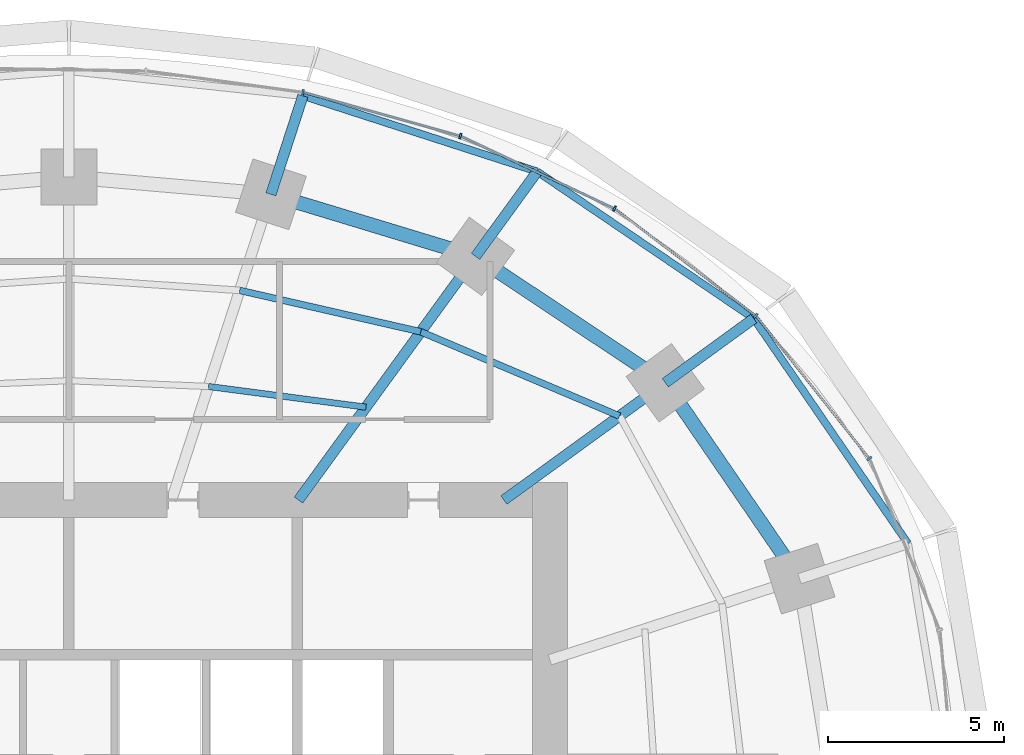
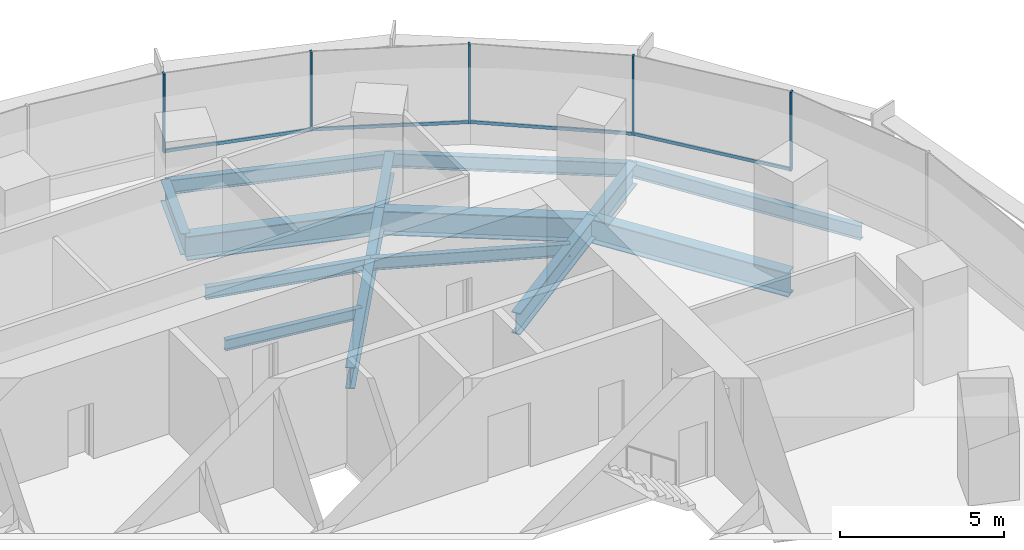
# One storey, part 8 of 14: 14 beams, 9 members, 2 elements without a shape of their own.
"""IFC4 building model written with IfcOpenShell, lengths in metres."""

from ifc_helpers import new_model, si_unit, direction, frame, origin, origin_2d, place, context, subcontext, project, spatial, rectangle, i_section, extrude, material, material_profile, profile_set, type_object, element, aggregate, save


model = new_model("IFC4")

# Units and contexts
model_context = context("Model", 3, precision=1e-05, world=origin(), true_north=direction((0.0, 1.0)))
body_context = subcontext(model_context, "Body", "Model", "MODEL_VIEW")
ifc_project = project(units=[si_unit("LENGTHUNIT", "METRE"), si_unit("AREAUNIT", "SQUARE_METRE"), si_unit("VOLUMEUNIT", "CUBIC_METRE"), si_unit("PLANEANGLEUNIT", "RADIAN"), si_unit("MASSUNIT", "GRAM", prefix="KILO")], contexts=[model_context])

# Site, building, storey
site_placement = place(None, origin())
site = spatial("IfcSite", under=ifc_project, at=site_placement, CompositionType="ELEMENT")
building_placement = place(site_placement, origin())
building = spatial("IfcBuilding", under=site, at=building_placement, Name="Marramba Exchange Tower", CompositionType="ELEMENT")
storey_placement = place(building_placement, frame((0.0, 0.0, 154.800048828125)))
storey = spatial("IfcBuildingStorey", under=building, at=storey_placement, Name="L37", CompositionType="ELEMENT", Elevation=154.800048828125)

# Beams
ifc_material_1 = material(Name="Steel AS/NZS 3679.2 grade 300", Category="steel")
ifc_material_profile_1 = material_profile(ifc_material_1, i_section(OverallWidth=0.300048828125, OverallDepth=0.800048828125, WebThickness=0.013916015625, FlangeThickness=0.031982421875, at=origin_2d()), Name="800WB192")
ifc_profile_set_1 = profile_set([ifc_material_profile_1], Name="Steel AS/NZS 3679.2 grade 300")
beam_type_1 = type_object("IfcBeamType", Name="Cantilever girder 800WB192", PredefinedType="BEAM", material=ifc_profile_set_1)
beam_1_placement = place(storey_placement, frame((16.98583984375, 12.3408203125, -0.56005859375), z_axis=(0.809013970709, 0.58778941399, 0.0), x_axis=(-0.58778941399, 0.809013970709, 0.0)))
element("IfcBeam", 1, at=beam_1_placement, inside=storey, type_object=beam_type_1, Name="Cantilever girder L37 TC03", PredefinedType="BEAM", context=body_context, shape_type="SweptSolid", body=[
    extrude(i_section(OverallWidth=0.300048828125, OverallDepth=0.800048828125, WebThickness=0.013916015625, FlangeThickness=0.031982421875, at=origin_2d()), origin(), (0.0, 0.0, 1.0), 3.1142578125),
])
beam_2_placement = place(storey_placement, frame((11.581298828125, 15.9404296875, -0.56005859375), z_axis=(0.587821738214, 0.808990484544, 0.0), x_axis=(-0.808990484544, 0.587821738214, 0.0)))
element("IfcBeam", 2, at=beam_2_placement, inside=storey, type_object=beam_type_1, Name="Cantilever girder L37 TC04", PredefinedType="BEAM", context=body_context, shape_type="SweptSolid", body=[
    extrude(i_section(OverallWidth=0.300048828125, OverallDepth=0.800048828125, WebThickness=0.013916015625, FlangeThickness=0.031982421875, at=origin_2d()), origin(), (0.0, 0.0, 1.0), 2.987060546875),
])
beam_3_placement = place(storey_placement, frame((5.75390625, 17.70849609375, -0.56005859375), z_axis=(0.309018704887, 0.951055960514, 0.0), x_axis=(-0.951055960514, 0.309018704887, 0.0)))
element("IfcBeam", 3, at=beam_3_placement, inside=storey, type_object=beam_type_1, Name="Cantilever girder L37 TC05", PredefinedType="BEAM", context=body_context, shape_type="SweptSolid", body=[
    extrude(i_section(OverallWidth=0.300048828125, OverallDepth=0.800048828125, WebThickness=0.013916015625, FlangeThickness=0.031982421875, at=origin_2d()), origin(), (0.0, 0.0, 1.0), 2.949951171875),
])
ifc_material_2 = material(Name="Steel AS/NZS 3679.1 grade 300", Category="steel")
ifc_material_profile_2 = material_profile(ifc_material_2, i_section(OverallWidth=0.177978515625, OverallDepth=0.406005859375, WebThickness=0.0078125, FlangeThickness=0.0126953125, FilletRadius=0.011474609375, at=origin_2d()), Name="410UB59.7")
ifc_profile_set_2 = profile_set([ifc_material_profile_2], Name="Steel AS/NZS 3679.1 grade 300")
beam_type_2 = type_object("IfcBeamType", Name="Floor joist 410UB59.7", PredefinedType="JOIST", material=ifc_profile_set_2)
beam_4_placement = place(storey_placement, frame((8.4619140625, 11.646728515625, -0.363037109375), z_axis=(-0.991480538255, 0.130254912618, 0.0), x_axis=(-0.130254912618, -0.991480538255, 0.0)))
element("IfcBeam", 4, at=beam_4_placement, inside=storey, type_object=beam_type_2, Name="Joist L37 bay 04 row 1", PredefinedType="JOIST", context=body_context, shape_type="SweptSolid", body=[
    extrude(i_section(OverallWidth=0.177978515625, OverallDepth=0.406005859375, WebThickness=0.0078125, FlangeThickness=0.0126953125, FilletRadius=0.011474609375, at=origin_2d()), origin(), (0.0, 0.0, 1.0), 4.524658203125),
])
ifc_material_profile_3 = material_profile(ifc_material_2, i_section(OverallWidth=0.18994140625, OverallDepth=0.4541015625, WebThickness=0.008544921875, FlangeThickness=0.0126953125, FilletRadius=0.011474609375, at=origin_2d()), Name="460UB67.1")
ifc_profile_set_3 = profile_set([ifc_material_profile_3], Name="Steel AS/NZS 3679.1 grade 300")
beam_type_3 = type_object("IfcBeamType", Name="Floor joist 460UB67.1", PredefinedType="JOIST", material=ifc_profile_set_3)
beam_5_placement = place(storey_placement, frame((15.682373046875, 11.393798828125, -0.386962890625), z_axis=(-0.920674336375, 0.390331610738, 0.0), x_axis=(-0.390331610738, -0.920674336375, 0.0)))
element("IfcBeam", 5, at=beam_5_placement, inside=storey, type_object=beam_type_3, Name="Joist L37 bay 03 row 2", PredefinedType="JOIST", context=body_context, shape_type="SweptSolid", body=[
    extrude(i_section(OverallWidth=0.18994140625, OverallDepth=0.4541015625, WebThickness=0.008544921875, FlangeThickness=0.0126953125, FilletRadius=0.011474609375, at=origin_2d()), origin(), (0.0, 0.0, 1.0), 6.1484375),
])
beam_6_placement = place(storey_placement, frame((10.021728515625, 13.793701171875, -0.386962890625), z_axis=(-0.974859652292, 0.222819788916, 0.0), x_axis=(-0.222819788916, -0.974859652292, 0.0)))
element("IfcBeam", 6, at=beam_6_placement, inside=storey, type_object=beam_type_3, Name="Joist L37 bay 04 row 2", PredefinedType="JOIST", context=body_context, shape_type="SweptSolid", body=[
    extrude(i_section(OverallWidth=0.18994140625, OverallDepth=0.4541015625, WebThickness=0.008544921875, FlangeThickness=0.0126953125, FilletRadius=0.011474609375, at=origin_2d()), origin(), (0.0, 0.0, 1.0), 5.2900390625),
])

# Curtain wall, members
ifc_material_3 = material(Name="Aluminium framing, bronze anodised", Category="aluminium")
curtain_wall_type = type_object("IfcCurtainWallType", Name="Office ribbon curtain wall", PredefinedType="USERDEFINED", material=ifc_material_3)
curtain_wall_1_placement = place(storey_placement, origin())
curtain_wall_1 = element("IfcCurtainWall", 7, at=curtain_wall_1_placement, inside=storey, type_object=curtain_wall_type, Name="Curtain wall CW4 L37 F01-F05", ObjectType="RIBBON CURTAIN WALL", PredefinedType="USERDEFINED")
ifc_material_4 = material(Name="Aluminium mullion, bronze anodised", Category="aluminium")
ifc_material_profile_4 = material_profile(ifc_material_4, rectangle(XDim=0.159912109375, YDim=0.06005859375, at=origin_2d()), Name="CW4 mullion 60x160")
ifc_profile_set_4 = profile_set([ifc_material_profile_4], Name="Aluminium mullion, bronze anodised")
member_type_1 = type_object("IfcMemberType", Name="Office ribbon curtain wall mullion", PredefinedType="MULLION", material=ifc_profile_set_4)
member_1_placement = place(storey_placement, frame((22.796630859375, 10.181640625, 0.800048828125), z_axis=(0.0, 0.0, 1.0), x_axis=(-0.783563266703, -0.621312004611, 0.0)))
member_1 = element("IfcMember", 8, at=member_1_placement, type_object=member_type_1, Name="CW4 mullion 1", PredefinedType="MULLION", context=body_context, shape_type="SweptSolid", body=[
    extrude(rectangle(XDim=0.159912109375, YDim=0.06005859375, at=origin_2d()), origin(), (0.0, 0.0, 1.0), 2.93994140625),
])
member_2_placement = place(storey_placement, frame((19.5625, 14.24853515625, 0.800048828125), z_axis=(0.0, 0.0, 1.0), x_axis=(-0.60533377223, -0.795971748366, 0.0)))
member_2 = element("IfcMember", 9, at=member_2_placement, type_object=member_type_1, Name="CW4 mullion 1", PredefinedType="MULLION", context=body_context, shape_type="SweptSolid", body=[
    extrude(rectangle(XDim=0.159912109375, YDim=0.06005859375, at=origin_2d()), origin(), (0.0, 0.0, 1.0), 2.93994140625),
])
member_3_placement = place(storey_placement, frame((15.538818359375, 17.300537109375, 0.800048828125), z_axis=(0.0, 0.0, 1.0), x_axis=(-0.426678995157, -0.904403137485, 0.0)))
member_3 = element("IfcMember", 10, at=member_3_placement, type_object=member_type_1, Name="CW4 mullion 1", PredefinedType="MULLION", context=body_context, shape_type="SweptSolid", body=[
    extrude(rectangle(XDim=0.159912109375, YDim=0.06005859375, at=origin_2d()), origin(), (0.0, 0.0, 1.0), 2.93994140625),
])

curtain_wall_2_placement = place(storey_placement, origin())
curtain_wall_2 = element("IfcCurtainWall", 11, at=curtain_wall_2_placement, inside=storey, type_object=curtain_wall_type, Name="Curtain wall CW4 L37 F06-F10", ObjectType="RIBBON CURTAIN WALL", PredefinedType="USERDEFINED")
member_4_placement = place(storey_placement, frame((11.147705078125, 19.366455078125, 0.800048828125), z_axis=(0.0, 0.0, 1.0), x_axis=(-0.268865090816, -0.963177845956, 0.0)))
member_4 = element("IfcMember", 12, at=member_4_placement, type_object=member_type_1, Name="CW4 mullion 1", PredefinedType="MULLION", context=body_context, shape_type="SweptSolid", body=[
    extrude(rectangle(XDim=0.159912109375, YDim=0.06005859375, at=origin_2d()), origin(), (0.0, 0.0, 1.0), 2.93994140625),
])
member_5_placement = place(storey_placement, frame((6.66650390625, 20.61328125, 0.800048828125), z_axis=(0.0, 0.0, 1.0), x_axis=(-0.135785837319, -0.990738212841, 0.0)))
member_5 = element("IfcMember", 13, at=member_5_placement, type_object=member_type_1, Name="CW4 mullion 1", PredefinedType="MULLION", context=body_context, shape_type="SweptSolid", body=[
    extrude(rectangle(XDim=0.159912109375, YDim=0.06005859375, at=origin_2d()), origin(), (0.0, 0.0, 1.0), 2.93994140625),
])

# Member
ifc_material_5 = material(Name="Aluminium transom, bronze anodised", Category="aluminium")
ifc_material_profile_5 = material_profile(ifc_material_5, rectangle(XDim=0.06005859375, YDim=0.1201171875, at=origin_2d()), Name="CW4 transom 60x120")
ifc_profile_set_5 = profile_set([ifc_material_profile_5], Name="Aluminium transom, bronze anodised")
member_type_2 = type_object("IfcMemberType", Name="Office ribbon curtain wall transom", PredefinedType="USERDEFINED", material=ifc_profile_set_5)
member_6_placement = place(storey_placement, frame((22.778076171875, 10.205078125, 0.829833984375), z_axis=(-0.621339379472, 0.783541559534, 0.0), x_axis=(-0.783541559534, -0.621339379472, 0.0)))
member_6 = element("IfcMember", 14, at=member_6_placement, type_object=member_type_2, Name="CW4 sill transom", ObjectType="TRANSOM", PredefinedType="USERDEFINED", context=body_context, shape_type="SweptSolid", body=[
    extrude(rectangle(XDim=0.06005859375, YDim=0.1201171875, at=origin_2d()), origin(), (0.0, 0.0, 1.0), 5.13720703125),
])

member_7_placement = place(storey_placement, frame((19.53857421875, 14.2666015625, 0.829833984375), z_axis=(-0.7959906025, 0.605308979556, 0.0), x_axis=(-0.605308979556, -0.7959906025, 0.0)))
member_7 = element("IfcMember", 15, at=member_7_placement, type_object=member_type_2, Name="CW4 sill transom", ObjectType="TRANSOM", PredefinedType="USERDEFINED", context=body_context, shape_type="SweptSolid", body=[
    extrude(rectangle(XDim=0.06005859375, YDim=0.1201171875, at=origin_2d()), origin(), (0.0, 0.0, 1.0), 4.99072265625),
])

member_8_placement = place(storey_placement, frame((15.51171875, 17.313232421875, 0.829833984375), z_axis=(-0.904410826824, 0.426662696193, 0.0), x_axis=(-0.426662696193, -0.904410826824, 0.0)))
member_8 = element("IfcMember", 16, at=member_8_placement, type_object=member_type_2, Name="CW4 sill transom", ObjectType="TRANSOM", PredefinedType="USERDEFINED", context=body_context, shape_type="SweptSolid", body=[
    extrude(rectangle(XDim=0.06005859375, YDim=0.1201171875, at=origin_2d()), origin(), (0.0, 0.0, 1.0), 4.79345703125),
])

aggregate(curtain_wall_1, [member_1, member_6, member_2, member_7, member_3, member_8])

member_9_placement = place(storey_placement, frame((11.118896484375, 19.37451171875, 0.829833984375), z_axis=(-0.963173567938, 0.268880415847, 0.0), x_axis=(-0.268880415847, -0.963173567938, 0.0)))
member_9 = element("IfcMember", 17, at=member_9_placement, type_object=member_type_2, Name="CW4 sill transom", ObjectType="TRANSOM", PredefinedType="USERDEFINED", context=body_context, shape_type="SweptSolid", body=[
    extrude(rectangle(XDim=0.06005859375, YDim=0.1201171875, at=origin_2d()), origin(), (0.0, 0.0, 1.0), 4.591796875),
])

aggregate(curtain_wall_2, [member_4, member_9, member_5])

# Beams
ifc_material_profile_6 = material_profile(ifc_material_1, i_section(OverallWidth=0.300048828125, OverallDepth=0.800048828125, WebThickness=0.013916015625, FlangeThickness=0.031982421875, at=origin_2d()), Name="800WB192")
ifc_profile_set_6 = profile_set([ifc_material_profile_6], Name="Steel AS/NZS 3679.2 grade 300")
beam_type_4 = type_object("IfcBeamType", Name="Radial girder 800WB192", PredefinedType="BEAM", material=ifc_profile_set_6)
beam_7_placement = place(storey_placement, frame((12.387451171875, 9.0, -0.56005859375), z_axis=(0.809025746925, 0.587773205252, 0.0), x_axis=(-0.587773205252, 0.809025746925, 0.0)))
element("IfcBeam", 18, at=beam_7_placement, inside=storey, type_object=beam_type_4, Name="Radial girder L37 TC03", PredefinedType="BEAM", context=body_context, shape_type="SweptSolid", body=[
    extrude(i_section(OverallWidth=0.300048828125, OverallDepth=0.800048828125, WebThickness=0.013916015625, FlangeThickness=0.031982421875, at=origin_2d()), origin(), (0.0, 0.0, 1.0), 5.683837890625),
])
beam_8_placement = place(storey_placement, frame((6.538818359375, 9.0, -0.56005859375), z_axis=(0.587782439969, 0.80901903764, 0.0), x_axis=(-0.80901903764, 0.587782439969, 0.0)))
element("IfcBeam", 19, at=beam_8_placement, inside=storey, type_object=beam_type_4, Name="Radial girder L37 TC04", PredefinedType="BEAM", context=body_context, shape_type="SweptSolid", body=[
    extrude(i_section(OverallWidth=0.300048828125, OverallDepth=0.800048828125, WebThickness=0.013916015625, FlangeThickness=0.031982421875, at=origin_2d()), origin(), (0.0, 0.0, 1.0), 8.578857421875),
])
ifc_material_profile_7 = material_profile(ifc_material_1, i_section(OverallWidth=0.39990234375, OverallDepth=0.89990234375, WebThickness=0.01611328125, FlangeThickness=0.031982421875, at=origin_2d()), Name="900WB282")
ifc_profile_set_7 = profile_set([ifc_material_profile_7], Name="Steel AS/NZS 3679.2 grade 300")
beam_type_5 = type_object("IfcBeamType", Name="Ring beam 900WB282", PredefinedType="SPANDREL", material=ifc_profile_set_7)
beam_9_placement = place(storey_placement, frame((20.808349609375, 6.760986328125, -0.610107421875), z_axis=(-0.56516002054, 0.824981303535, 0.0), x_axis=(-0.824981303535, -0.56516002054, 0.0)))
element("IfcBeam", 20, at=beam_9_placement, inside=storey, type_object=beam_type_5, Name="Ring beam L37 TC02-TC03", PredefinedType="SPANDREL", context=body_context, shape_type="SweptSolid", body=[
    extrude(i_section(OverallWidth=0.39990234375, OverallDepth=0.89990234375, WebThickness=0.01611328125, FlangeThickness=0.031982421875, at=origin_2d()), origin(), (0.0, 0.0, 1.0), 6.763671875),
])
beam_10_placement = place(storey_placement, frame((16.98583984375, 12.3408203125, -0.610107421875), z_axis=(-0.832293151443, 0.554335737673, 0.0), x_axis=(-0.554335737673, -0.832293151443, 0.0)))
element("IfcBeam", 21, at=beam_10_placement, inside=storey, type_object=beam_type_5, Name="Ring beam L37 TC03-TC04", PredefinedType="SPANDREL", context=body_context, shape_type="SweptSolid", body=[
    extrude(i_section(OverallWidth=0.39990234375, OverallDepth=0.89990234375, WebThickness=0.01611328125, FlangeThickness=0.031982421875, at=origin_2d()), origin(), (0.0, 0.0, 1.0), 6.49365234375),
])
beam_11_placement = place(storey_placement, frame((11.581298828125, 15.9404296875, -0.610107421875), z_axis=(-0.956924542524, 0.290336735387, 0.0), x_axis=(-0.290336735387, -0.956924542524, 0.0)))
element("IfcBeam", 22, at=beam_11_placement, inside=storey, type_object=beam_type_5, Name="Ring beam L37 TC04-TC05", PredefinedType="SPANDREL", context=body_context, shape_type="SweptSolid", body=[
    extrude(i_section(OverallWidth=0.39990234375, OverallDepth=0.89990234375, WebThickness=0.01611328125, FlangeThickness=0.031982421875, at=origin_2d()), origin(), (0.0, 0.0, 1.0), 6.089599609375),
])
ifc_material_profile_8 = material_profile(ifc_material_2, i_section(OverallWidth=0.208984375, OverallDepth=0.528076171875, WebThickness=0.009521484375, FlangeThickness=0.01318359375, FilletRadius=0.013916015625, at=origin_2d()), Name="530UB82.0")
ifc_profile_set_8 = profile_set([ifc_material_profile_8], Name="Steel AS/NZS 3679.1 grade 300")
beam_type_6 = type_object("IfcBeamType", Name="Slab edge beam 530UB82.0", PredefinedType="SPANDREL", material=ifc_profile_set_8)
beam_12_placement = place(storey_placement, frame((23.89501953125, 7.763916015625, -0.424072265625), z_axis=(-0.56517400038, 0.824971726361, 0.0), x_axis=(-0.824971726361, -0.56517400038, 0.0)))
element("IfcBeam", 23, at=beam_12_placement, inside=storey, type_object=beam_type_6, Name="Slab edge beam L37 TC02-TC03", PredefinedType="SPANDREL", context=body_context, shape_type="SweptSolid", body=[
    extrude(i_section(OverallWidth=0.208984375, OverallDepth=0.528076171875, WebThickness=0.009521484375, FlangeThickness=0.01318359375, FilletRadius=0.013916015625, at=origin_2d()), origin(), (0.0, 0.0, 1.0), 7.766845703125),
])
beam_13_placement = place(storey_placement, frame((19.50537109375, 14.17138671875, -0.424072265625), z_axis=(-0.827477404833, 0.561499015574, 0.0), x_axis=(-0.561499015574, -0.827477404833, 0.0)))
element("IfcBeam", 24, at=beam_13_placement, inside=storey, type_object=beam_type_6, Name="Slab edge beam L37 TC03-TC04", PredefinedType="SPANDREL", context=body_context, shape_type="SweptSolid", body=[
    extrude(i_section(OverallWidth=0.208984375, OverallDepth=0.528076171875, WebThickness=0.009521484375, FlangeThickness=0.01318359375, FilletRadius=0.013916015625, at=origin_2d()), origin(), (0.0, 0.0, 1.0), 7.454345703125),
])
beam_14_placement = place(storey_placement, frame((13.337158203125, 18.35693359375, -0.424072265625), z_axis=(-0.951496392577, 0.307659901373, 0.0), x_axis=(-0.307659901373, -0.951496392577, 0.0)))
element("IfcBeam", 25, at=beam_14_placement, inside=storey, type_object=beam_type_6, Name="Slab edge beam L37 TC04-TC05", PredefinedType="SPANDREL", context=body_context, shape_type="SweptSolid", body=[
    extrude(i_section(OverallWidth=0.208984375, OverallDepth=0.528076171875, WebThickness=0.009521484375, FlangeThickness=0.01318359375, FilletRadius=0.013916015625, at=origin_2d()), origin(), (0.0, 0.0, 1.0), 7.01171875),
])

save(model, "model.ifc")
